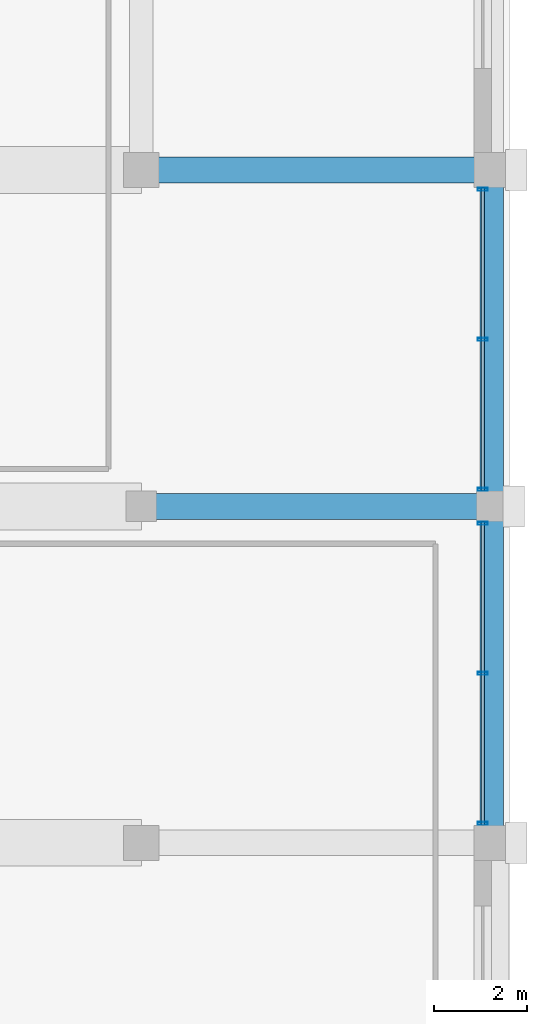
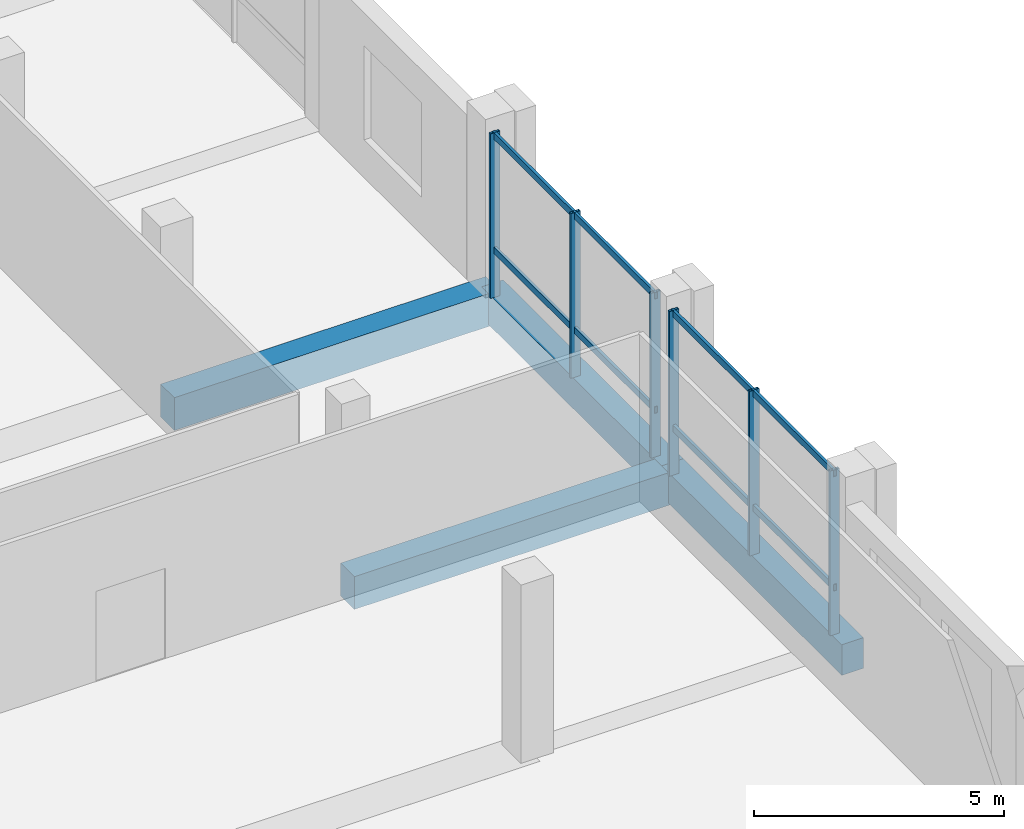
# One storey, part 32 of 64: 10 members, 4 beams, 2 elements without a shape of their own.
"""IFC4 building model written with IfcOpenShell, lengths in metres."""

from ifc_helpers import new_model, si_unit, direction, frame, origin, origin_2d, place, context, subcontext, project, spatial, rectangle, hollow_rectangle, extrude, material, material_profile, profile_set, type_object, element, aggregate, save


model = new_model("IFC4")

# Units and contexts
model_context = context("Model", 3, precision=1e-05, world=origin(), true_north=direction((0.0, 1.0)))
body_context = subcontext(model_context, "Body", "Model", "MODEL_VIEW")
ifc_project = project(units=[si_unit("LENGTHUNIT", "METRE"), si_unit("AREAUNIT", "SQUARE_METRE"), si_unit("VOLUMEUNIT", "CUBIC_METRE"), si_unit("PLANEANGLEUNIT", "RADIAN"), si_unit("MASSUNIT", "GRAM", prefix="KILO")], contexts=[model_context])

# Site, building, storey
site_placement = place(None, origin())
site = spatial("IfcSite", under=ifc_project, at=site_placement, CompositionType="ELEMENT")
building_placement = place(site_placement, origin())
building = spatial("IfcBuilding", under=site, at=building_placement, Name="Akrevak Sports Hall", CompositionType="ELEMENT")
storey_placement = place(building_placement, frame((0.0, 0.0, 4.60009765625)))
storey = spatial("IfcBuildingStorey", under=building, at=storey_placement, Name="L01", CompositionType="ELEMENT", Elevation=4.60009765625)

# Curtain wall, members
ifc_material_1 = material(Name="Anodized Bronze Aluminium & Low-E Glass", Category="aluminium")
curtain_wall_type = type_object("IfcCurtainWallType", Name="ARC-CW-POD-64x44", PredefinedType="NOTDEFINED", material=ifc_material_1)
curtain_wall_1_placement = place(storey_placement, origin())
curtain_wall_1 = element("IfcCurtainWall", 1, at=curtain_wall_1_placement, inside=storey, type_object=curtain_wall_type, Name="Curtain Wall CW-L01-E03", PredefinedType="NOTDEFINED")
ifc_material_2 = material(Name="Anodized Bronze Aluminium", Category="aluminium")
ifc_material_profile_1 = material_profile(ifc_material_2, hollow_rectangle(XDim=0.06494140625, YDim=0.219970703125, WallThickness=0.00439453125, at=origin_2d()), Name="CWM 65x220", Category="aluminium")
ifc_profile_set_1 = profile_set([ifc_material_profile_1], Name="Anodized Bronze Aluminium")
member_type_1 = type_object("IfcMemberType", Name="ARC-CWM-70x160", PredefinedType="MULLION", material=ifc_profile_set_1)
member_1_placement = place(storey_placement, frame((167.81005859375, 14.81494140625, 0.0), z_axis=(0.0, 0.0, 1.0), x_axis=(0.0, 1.0, 0.0)))
member_1 = element("IfcMember", 2, at=member_1_placement, type_object=member_type_1, Name="Curtain Wall Mullion CW-L01-E03-M1", PredefinedType="MULLION", context=body_context, shape_type="SweptSolid", body=[
    extrude(hollow_rectangle(XDim=0.06494140625, YDim=0.219970703125, WallThickness=0.00439453125, at=origin_2d()), origin(), (0.0, 0.0, 1.0), 4.02001953125),
])
member_2_placement = place(storey_placement, frame((167.81005859375, 18.02490234375, 0.0), z_axis=(0.0, 0.0, 1.0), x_axis=(0.0, 1.0, 0.0)))
member_2 = element("IfcMember", 3, at=member_2_placement, type_object=member_type_1, Name="Curtain Wall Mullion CW-L01-E03-M2", PredefinedType="MULLION", context=body_context, shape_type="SweptSolid", body=[
    extrude(hollow_rectangle(XDim=0.06494140625, YDim=0.219970703125, WallThickness=0.00439453125, at=origin_2d()), origin(), (0.0, 0.0, 1.0), 4.02001953125),
])
member_3_placement = place(storey_placement, frame((167.81005859375, 21.235107421875, 0.0), z_axis=(0.0, 0.0, 1.0), x_axis=(0.0, 1.0, 0.0)))
member_3 = element("IfcMember", 4, at=member_3_placement, type_object=member_type_1, Name="Curtain Wall Mullion CW-L01-E03-M3", PredefinedType="MULLION", context=body_context, shape_type="SweptSolid", body=[
    extrude(hollow_rectangle(XDim=0.06494140625, YDim=0.219970703125, WallThickness=0.00439453125, at=origin_2d()), origin(), (0.0, 0.0, 1.0), 4.02001953125),
])

curtain_wall_2_placement = place(storey_placement, origin())
curtain_wall_2 = element("IfcCurtainWall", 5, at=curtain_wall_2_placement, inside=storey, type_object=curtain_wall_type, Name="Curtain Wall CW-L01-E04", PredefinedType="NOTDEFINED")
member_4_placement = place(storey_placement, frame((167.81005859375, 21.965087890625, 0.0), z_axis=(0.0, 0.0, 1.0), x_axis=(0.0, 1.0, 0.0)))
member_4 = element("IfcMember", 6, at=member_4_placement, type_object=member_type_1, Name="Curtain Wall Mullion CW-L01-E04-M1", PredefinedType="MULLION", context=body_context, shape_type="SweptSolid", body=[
    extrude(hollow_rectangle(XDim=0.06494140625, YDim=0.219970703125, WallThickness=0.00439453125, at=origin_2d()), origin(), (0.0, 0.0, 1.0), 4.02001953125),
])
member_5_placement = place(storey_placement, frame((167.81005859375, 25.175048828125, 0.0), z_axis=(0.0, 0.0, 1.0), x_axis=(0.0, 1.0, 0.0)))
member_5 = element("IfcMember", 7, at=member_5_placement, type_object=member_type_1, Name="Curtain Wall Mullion CW-L01-E04-M2", PredefinedType="MULLION", context=body_context, shape_type="SweptSolid", body=[
    extrude(hollow_rectangle(XDim=0.06494140625, YDim=0.219970703125, WallThickness=0.00439453125, at=origin_2d()), origin(), (0.0, 0.0, 1.0), 4.02001953125),
])
member_6_placement = place(storey_placement, frame((167.81005859375, 28.385009765625, 0.0), z_axis=(0.0, 0.0, 1.0), x_axis=(0.0, 1.0, 0.0)))
member_6 = element("IfcMember", 8, at=member_6_placement, type_object=member_type_1, Name="Curtain Wall Mullion CW-L01-E04-M3", PredefinedType="MULLION", context=body_context, shape_type="SweptSolid", body=[
    extrude(hollow_rectangle(XDim=0.06494140625, YDim=0.219970703125, WallThickness=0.00439453125, at=origin_2d()), origin(), (0.0, 0.0, 1.0), 4.02001953125),
])

# Member
ifc_material_profile_2 = material_profile(ifc_material_2, hollow_rectangle(XDim=0.06494140625, YDim=0.159912109375, WallThickness=0.00390625, at=origin_2d()), Name="CWT 65x160", Category="aluminium")
ifc_profile_set_2 = profile_set([ifc_material_profile_2], Name="Anodized Bronze Aluminium")
member_type_2 = type_object("IfcMemberType", Name="ARC-CWT-70x130", PredefinedType="USERDEFINED", material=ifc_profile_set_2)
member_7_placement = place(storey_placement, frame((167.81005859375, 14.77490234375, 1.14990234375), z_axis=(0.0, 1.0, 0.0), x_axis=(-1.0, 0.0, 0.0)))
member_7 = element("IfcMember", 9, at=member_7_placement, type_object=member_type_2, Name="Curtain Wall Transom CW-L01-E03-T1", ObjectType="TRANSOM", PredefinedType="USERDEFINED", context=body_context, shape_type="SweptSolid", body=[
    extrude(hollow_rectangle(XDim=0.06494140625, YDim=0.159912109375, WallThickness=0.00390625, at=origin_2d()), origin(), (0.0, 0.0, 1.0), 6.5),
])

member_8_placement = place(storey_placement, frame((167.81005859375, 14.77490234375, 3.93994140625), z_axis=(0.0, 1.0, 0.0), x_axis=(-1.0, 0.0, 0.0)))
member_8 = element("IfcMember", 10, at=member_8_placement, type_object=member_type_2, Name="Curtain Wall Transom CW-L01-E03-T2", ObjectType="TRANSOM", PredefinedType="USERDEFINED", context=body_context, shape_type="SweptSolid", body=[
    extrude(hollow_rectangle(XDim=0.06494140625, YDim=0.159912109375, WallThickness=0.00390625, at=origin_2d()), origin(), (0.0, 0.0, 1.0), 6.5),
])

aggregate(curtain_wall_1, [member_1, member_2, member_3, member_7, member_8])

member_9_placement = place(storey_placement, frame((167.81005859375, 21.925048828125, 1.14990234375), z_axis=(0.0, 1.0, 0.0), x_axis=(-1.0, 0.0, 0.0)))
member_9 = element("IfcMember", 11, at=member_9_placement, type_object=member_type_2, Name="Curtain Wall Transom CW-L01-E04-T1", ObjectType="TRANSOM", PredefinedType="USERDEFINED", context=body_context, shape_type="SweptSolid", body=[
    extrude(hollow_rectangle(XDim=0.06494140625, YDim=0.159912109375, WallThickness=0.00390625, at=origin_2d()), origin(), (0.0, 0.0, 1.0), 6.5),
])

member_10_placement = place(storey_placement, frame((167.81005859375, 21.925048828125, 3.93994140625), z_axis=(0.0, 1.0, 0.0), x_axis=(-1.0, 0.0, 0.0)))
member_10 = element("IfcMember", 12, at=member_10_placement, type_object=member_type_2, Name="Curtain Wall Transom CW-L01-E04-T2", ObjectType="TRANSOM", PredefinedType="USERDEFINED", context=body_context, shape_type="SweptSolid", body=[
    extrude(hollow_rectangle(XDim=0.06494140625, YDim=0.159912109375, WallThickness=0.00390625, at=origin_2d()), origin(), (0.0, 0.0, 1.0), 6.5),
])

aggregate(curtain_wall_2, [member_4, member_5, member_6, member_9, member_10])

# Beams
ifc_material_3 = material(Name="Concrete C40/50", Category="concrete")
ifc_material_profile_3 = material_profile(ifc_material_3, rectangle(XDim=0.5, YDim=0.75, at=origin_2d()), Name="BM 500x750", Category="concrete")
ifc_profile_set_3 = profile_set([ifc_material_profile_3], Name="Concrete C40/50")
beam_type_1 = type_object("IfcBeamType", Name="STR-BM-RC500x750", PredefinedType="BEAM", material=ifc_profile_set_3)
beam_1_placement = place(storey_placement, frame((168.0, 14.39990234375, -0.375), z_axis=(0.0, 1.0, 0.0), x_axis=(-1.0, 0.0, 0.0)))
element("IfcBeam", 13, at=beam_1_placement, inside=storey, type_object=beam_type_1, Name="Girder 23/C-D (L01)", PredefinedType="BEAM", context=body_context, shape_type="SweptSolid", body=[
    extrude(rectangle(XDim=0.5, YDim=0.75, at=origin_2d()), origin(), (0.0, 0.0, 1.0), 7.2001953125),
])
beam_2_placement = place(storey_placement, frame((168.0, 21.60009765625, -0.375), z_axis=(0.0, 1.0, 0.0), x_axis=(-1.0, 0.0, 0.0)))
element("IfcBeam", 14, at=beam_2_placement, inside=storey, type_object=beam_type_1, Name="Girder 23/D-E (L01)", PredefinedType="BEAM", context=body_context, shape_type="SweptSolid", body=[
    extrude(rectangle(XDim=0.5, YDim=0.75, at=origin_2d()), origin(), (0.0, 0.0, 1.0), 7.199951171875),
])
ifc_material_profile_4 = material_profile(ifc_material_3, rectangle(XDim=0.550048828125, YDim=0.800048828125, at=origin_2d()), Name="BM 550x800", Category="concrete")
ifc_profile_set_4 = profile_set([ifc_material_profile_4], Name="Concrete C40/50")
beam_type_2 = type_object("IfcBeamType", Name="STR-BM-RC550x800", PredefinedType="BEAM", material=ifc_profile_set_4)
for number, where, z_axis, x_axis, name in (
    (15, (160.5, 21.60009765625, -0.400146484375), (1.0, 0.0, 0.0), (0.0, 1.0, 0.0), "Girder D/22-23 (L01)"),
    (16, (160.5, 28.800048828125, -0.400146484375), (1.0, 0.0, 0.0), (0.0, 1.0, 0.0), "Girder E/22-23 (L01)"),
):
    element("IfcBeam", number, at=place(storey_placement, frame(where, z_axis=z_axis, x_axis=x_axis)), inside=storey, type_object=beam_type_2, Name=name, PredefinedType="BEAM", context=body_context, shape_type="SweptSolid", body=[
        extrude(rectangle(XDim=0.550048828125, YDim=0.800048828125, at=origin_2d()), origin(), (0.0, 0.0, 1.0), 7.5),
    ])

save(model, "model.ifc")
